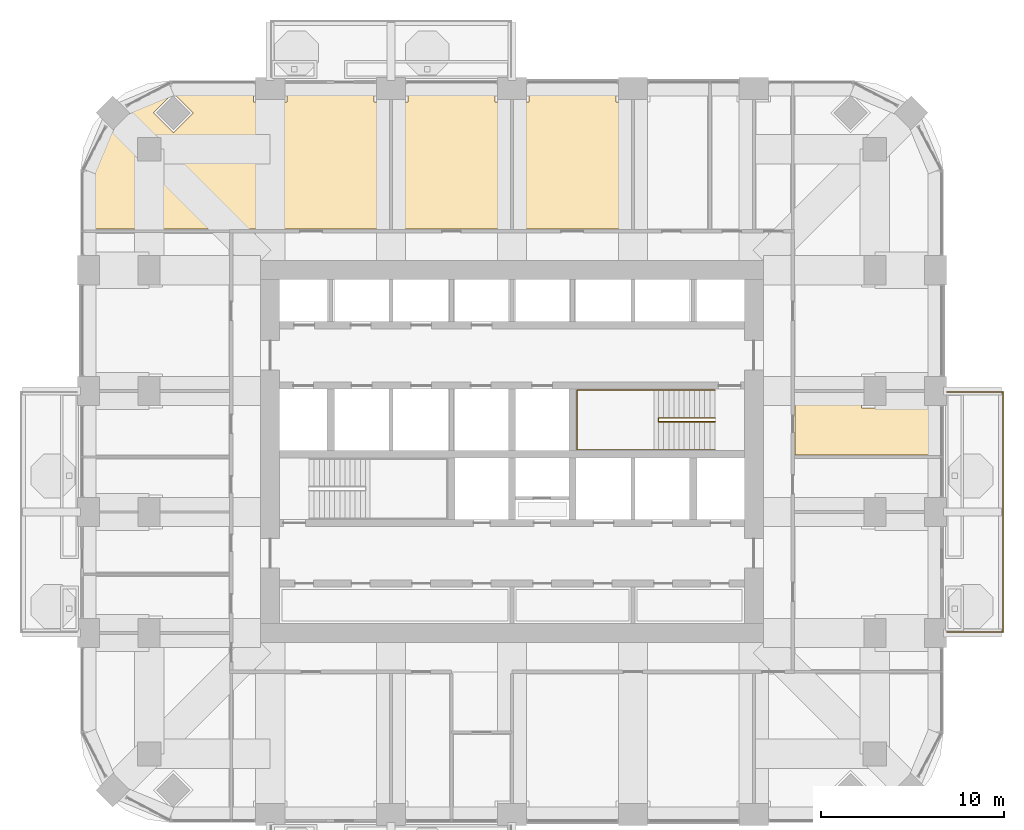
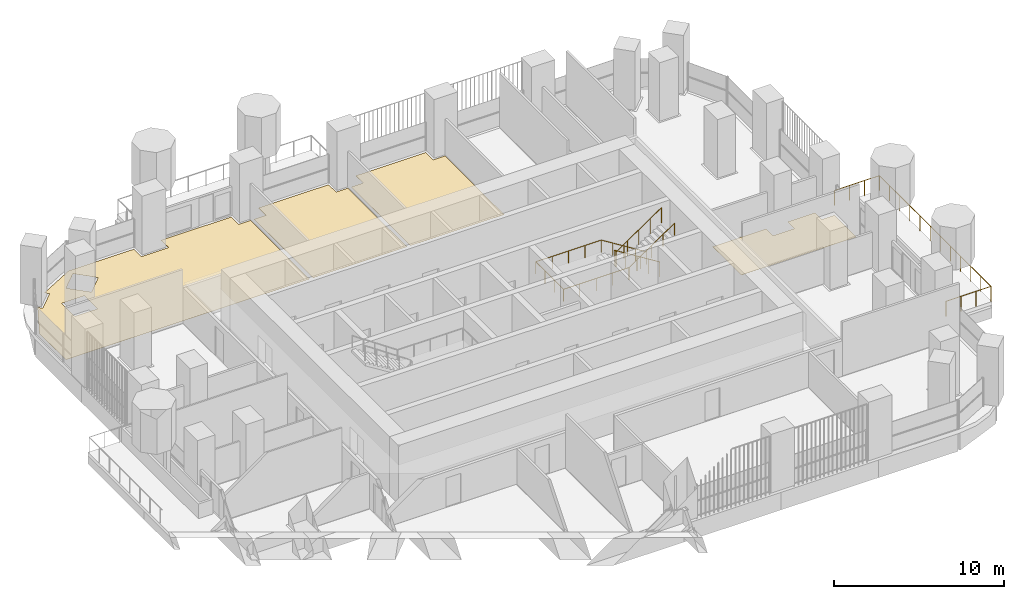
# One storey, part 18 of 20: 4 coverings, 3 railings.
"""IFC4 building model written with IfcOpenShell, lengths in metres."""

from ifc_helpers import new_model, si_unit, direction, frame, origin, place, context, subcontext, project, spatial, polyline, outline, extrude, material, layer, layer_set, type_object, element, save


model = new_model("IFC4")

# Units and contexts
model_context = context("Model", 3, precision=1e-05, world=origin(), true_north=direction((0.0, 1.0)))
body_context = subcontext(model_context, "Body", "Model", "MODEL_VIEW")
ifc_project = project(units=[si_unit("LENGTHUNIT", "METRE"), si_unit("AREAUNIT", "SQUARE_METRE"), si_unit("VOLUMEUNIT", "CUBIC_METRE"), si_unit("PLANEANGLEUNIT", "RADIAN"), si_unit("MASSUNIT", "GRAM", prefix="KILO")], contexts=[model_context])

# Site, building, storey
site_placement = place(None, origin())
site = spatial("IfcSite", under=ifc_project, at=site_placement, CompositionType="ELEMENT")
building_placement = place(site_placement, origin())
building = spatial("IfcBuilding", under=site, at=building_placement, Name="Cobogo Forest Laboratory Tower", CompositionType="ELEMENT")
storey_placement = place(building_placement, frame((0.0, 0.0, 218.699951171875)))
storey = spatial("IfcBuildingStorey", under=building, at=storey_placement, Name="L50", CompositionType="ELEMENT", Elevation=218.699951171875)

# Railing
ifc_material_1 = material(Name="Laminated glass balustrade", Category="glass")
railing_type_1 = type_object("IfcRailingType", Name="BG1 glass balustrade 1100", PredefinedType="GUARDRAIL", material=ifc_material_1)
railing_1_placement = place(storey_placement, frame((50.14990234375, 13.25, 0.0)))
element("IfcRailing", 1, at=railing_1_placement, inside=storey, type_object=railing_type_1, Name="Balcony balustrade BAL-E1 L50", PredefinedType="GUARDRAIL", context=body_context, shape_type="SweptSolid", body=[
    extrude(outline(polyline([(0.022216796875, 0.00927734375), (0.00927734375, 0.022216796875), (-0.00927734375, 0.022216796875), (-0.022216796875, 0.00927734375), (-0.022216796875, -0.00927734375), (-0.00927734375, -0.022216796875), (0.00927734375, -0.022216796875), (0.022216796875, -0.00927734375), (0.022216796875, 0.00927734375)])), frame((0.0, 0.0, 1.077880859375), z_axis=(1.0, 0.0, 0.0), x_axis=(0.0, 1.0, 0.0)), (0.0, 0.0, 1.0), 3.050048828125),
    extrude(outline(polyline([(0.022216796875, 0.00927734375), (0.00927734375, 0.022216796875), (-0.00927734375, 0.022216796875), (-0.022216796875, 0.00927734375), (-0.022216796875, -0.00927734375), (-0.00927734375, -0.022216796875), (0.00927734375, -0.022216796875), (0.022216796875, -0.00927734375), (0.022216796875, 0.00927734375)])), frame((3.050048828125, 0.0, 1.077880859375), z_axis=(0.0, 1.0, 0.0), x_axis=(-1.0, 0.0, 0.0)), (0.0, 0.0, 1.0), 13.10009765625),
    extrude(outline(polyline([(0.022216796875, 0.00927734375), (0.00927734375, 0.022216796875), (-0.00927734375, 0.022216796875), (-0.022216796875, 0.00927734375), (-0.022216796875, -0.00927734375), (-0.00927734375, -0.022216796875), (0.00927734375, -0.022216796875), (0.022216796875, -0.00927734375), (0.022216796875, 0.00927734375)])), frame((3.050048828125, 13.10009765625, 1.077880859375), z_axis=(-1.0, 0.0, 0.0), x_axis=(0.0, -1.0, 0.0)), (0.0, 0.0, 1.0), 3.050048828125),
    extrude(outline(polyline([(0.019287109375, 0.008056640625), (0.008056640625, 0.019287109375), (-0.008056640625, 0.019287109375), (-0.019287109375, 0.008056640625), (-0.019287109375, -0.008056640625), (-0.008056640625, -0.019287109375), (0.008056640625, -0.019287109375), (0.019287109375, -0.008056640625), (0.019287109375, 0.008056640625)])), origin(), (0.0, 0.0, 1.0), 1.077880859375),
    extrude(outline(polyline([(0.019287109375, 0.008056640625), (0.008056640625, 0.019287109375), (-0.008056640625, 0.019287109375), (-0.019287109375, 0.008056640625), (-0.019287109375, -0.008056640625), (-0.008056640625, -0.019287109375), (0.008056640625, -0.019287109375), (0.019287109375, -0.008056640625), (0.019287109375, 0.008056640625)])), frame((1.0166015625, 0.0, 0.0)), (0.0, 0.0, 1.0), 1.077880859375),
    extrude(outline(polyline([(0.019287109375, 0.008056640625), (0.008056640625, 0.019287109375), (-0.008056640625, 0.019287109375), (-0.019287109375, 0.008056640625), (-0.019287109375, -0.008056640625), (-0.008056640625, -0.019287109375), (0.008056640625, -0.019287109375), (0.019287109375, -0.008056640625), (0.019287109375, 0.008056640625)])), frame((2.033447265625, 0.0, 0.0)), (0.0, 0.0, 1.0), 1.077880859375),
    extrude(outline(polyline([(0.019287109375, 0.008056640625), (0.008056640625, 0.019287109375), (-0.008056640625, 0.019287109375), (-0.019287109375, 0.008056640625), (-0.019287109375, -0.008056640625), (-0.008056640625, -0.019287109375), (0.008056640625, -0.019287109375), (0.019287109375, -0.008056640625), (0.019287109375, 0.008056640625)])), frame((3.050048828125, 0.0, 0.0)), (0.0, 0.0, 1.0), 1.077880859375),
    extrude(outline(polyline([(0.019287109375, 0.008056640625), (0.008056640625, 0.019287109375), (-0.008056640625, 0.019287109375), (-0.019287109375, 0.008056640625), (-0.019287109375, -0.008056640625), (-0.008056640625, -0.019287109375), (0.008056640625, -0.019287109375), (0.019287109375, -0.008056640625), (0.019287109375, 0.008056640625)])), frame((3.050048828125, 1.19091796875, 0.0)), (0.0, 0.0, 1.0), 1.077880859375),
    extrude(outline(polyline([(0.019287109375, 0.008056640625), (0.008056640625, 0.019287109375), (-0.008056640625, 0.019287109375), (-0.019287109375, 0.008056640625), (-0.019287109375, -0.008056640625), (-0.008056640625, -0.019287109375), (0.008056640625, -0.019287109375), (0.019287109375, -0.008056640625), (0.019287109375, 0.008056640625)])), frame((3.050048828125, 2.3818359375, 0.0)), (0.0, 0.0, 1.0), 1.077880859375),
    extrude(outline(polyline([(0.019287109375, 0.008056640625), (0.008056640625, 0.019287109375), (-0.008056640625, 0.019287109375), (-0.019287109375, 0.008056640625), (-0.019287109375, -0.008056640625), (-0.008056640625, -0.019287109375), (0.008056640625, -0.019287109375), (0.019287109375, -0.008056640625), (0.019287109375, 0.008056640625)])), frame((3.050048828125, 3.57275390625, 0.0)), (0.0, 0.0, 1.0), 1.077880859375),
    extrude(outline(polyline([(0.019287109375, 0.008056640625), (0.008056640625, 0.019287109375), (-0.008056640625, 0.019287109375), (-0.019287109375, 0.008056640625), (-0.019287109375, -0.008056640625), (-0.008056640625, -0.019287109375), (0.008056640625, -0.019287109375), (0.019287109375, -0.008056640625), (0.019287109375, 0.008056640625)])), frame((3.050048828125, 4.763671875, 0.0)), (0.0, 0.0, 1.0), 1.077880859375),
    extrude(outline(polyline([(0.019287109375, 0.008056640625), (0.008056640625, 0.019287109375), (-0.008056640625, 0.019287109375), (-0.019287109375, 0.008056640625), (-0.019287109375, -0.008056640625), (-0.008056640625, -0.019287109375), (0.008056640625, -0.019287109375), (0.019287109375, -0.008056640625), (0.019287109375, 0.008056640625)])), frame((3.050048828125, 5.95458984375, 0.0)), (0.0, 0.0, 1.0), 1.077880859375),
    extrude(outline(polyline([(0.019287109375, 0.008056640625), (0.008056640625, 0.019287109375), (-0.008056640625, 0.019287109375), (-0.019287109375, 0.008056640625), (-0.019287109375, -0.008056640625), (-0.008056640625, -0.019287109375), (0.008056640625, -0.019287109375), (0.019287109375, -0.008056640625), (0.019287109375, 0.008056640625)])), frame((3.050048828125, 7.1455078125, 0.0)), (0.0, 0.0, 1.0), 1.077880859375),
    extrude(outline(polyline([(0.019287109375, 0.008056640625), (0.008056640625, 0.019287109375), (-0.008056640625, 0.019287109375), (-0.019287109375, 0.008056640625), (-0.019287109375, -0.008056640625), (-0.008056640625, -0.019287109375), (0.008056640625, -0.019287109375), (0.019287109375, -0.008056640625), (0.019287109375, 0.008056640625)])), frame((3.050048828125, 8.33642578125, 0.0)), (0.0, 0.0, 1.0), 1.077880859375),
    extrude(outline(polyline([(0.019287109375, 0.008056640625), (0.008056640625, 0.019287109375), (-0.008056640625, 0.019287109375), (-0.019287109375, 0.008056640625), (-0.019287109375, -0.008056640625), (-0.008056640625, -0.019287109375), (0.008056640625, -0.019287109375), (0.019287109375, -0.008056640625), (0.019287109375, 0.008056640625)])), frame((3.050048828125, 9.52734375, 0.0)), (0.0, 0.0, 1.0), 1.077880859375),
    extrude(outline(polyline([(0.019287109375, 0.008056640625), (0.008056640625, 0.019287109375), (-0.008056640625, 0.019287109375), (-0.019287109375, 0.008056640625), (-0.019287109375, -0.008056640625), (-0.008056640625, -0.019287109375), (0.008056640625, -0.019287109375), (0.019287109375, -0.008056640625), (0.019287109375, 0.008056640625)])), frame((3.050048828125, 10.71826171875, 0.0)), (0.0, 0.0, 1.0), 1.077880859375),
    extrude(outline(polyline([(0.019287109375, 0.008056640625), (0.008056640625, 0.019287109375), (-0.008056640625, 0.019287109375), (-0.019287109375, 0.008056640625), (-0.019287109375, -0.008056640625), (-0.008056640625, -0.019287109375), (0.008056640625, -0.019287109375), (0.019287109375, -0.008056640625), (0.019287109375, 0.008056640625)])), frame((3.050048828125, 11.9091796875, 0.0)), (0.0, 0.0, 1.0), 1.077880859375),
    extrude(outline(polyline([(0.019287109375, 0.008056640625), (0.008056640625, 0.019287109375), (-0.008056640625, 0.019287109375), (-0.019287109375, 0.008056640625), (-0.019287109375, -0.008056640625), (-0.008056640625, -0.019287109375), (0.008056640625, -0.019287109375), (0.019287109375, -0.008056640625), (0.019287109375, 0.008056640625)])), frame((3.050048828125, 13.10009765625, 0.0)), (0.0, 0.0, 1.0), 1.077880859375),
    extrude(outline(polyline([(0.019287109375, 0.008056640625), (0.008056640625, 0.019287109375), (-0.008056640625, 0.019287109375), (-0.019287109375, 0.008056640625), (-0.019287109375, -0.008056640625), (-0.008056640625, -0.019287109375), (0.008056640625, -0.019287109375), (0.019287109375, -0.008056640625), (0.019287109375, 0.008056640625)])), frame((2.033447265625, 13.10009765625, 0.0)), (0.0, 0.0, 1.0), 1.077880859375),
    extrude(outline(polyline([(0.019287109375, 0.008056640625), (0.008056640625, 0.019287109375), (-0.008056640625, 0.019287109375), (-0.019287109375, 0.008056640625), (-0.019287109375, -0.008056640625), (-0.008056640625, -0.019287109375), (0.008056640625, -0.019287109375), (0.019287109375, -0.008056640625), (0.019287109375, 0.008056640625)])), frame((1.0166015625, 13.10009765625, 0.0)), (0.0, 0.0, 1.0), 1.077880859375),
    extrude(outline(polyline([(0.019287109375, 0.008056640625), (0.008056640625, 0.019287109375), (-0.008056640625, 0.019287109375), (-0.019287109375, 0.008056640625), (-0.019287109375, -0.008056640625), (-0.008056640625, -0.019287109375), (0.008056640625, -0.019287109375), (0.019287109375, -0.008056640625), (0.019287109375, 0.008056640625)])), frame((0.0, 13.10009765625, 0.0)), (0.0, 0.0, 1.0), 1.077880859375),
])

# Covering
ifc_material_2 = material(Name="Carpet tile on raised access floor", Category="flooring")
ifc_layer_1 = layer(ifc_material_2, 0.008056640625)
ifc_layer_set_1 = layer_set([ifc_layer_1], Name="CT1 carpet tile floor 8")
covering_type_1 = type_object("IfcCoveringType", Name="CT1 carpet tile floor 8", PredefinedType="FLOORING", material=ifc_layer_set_1)
covering_1_placement = place(storey_placement, origin())
element("IfcCovering", 2, at=covering_1_placement, inside=storey, type_object=covering_type_1, Name="Carpet floor L50-11", PredefinedType="FLOORING", context=body_context, shape_type="SweptSolid", body=[
    extrude(outline(polyline([(19.919921875, 35.2451171875), (19.919921875, 42.179931640625), (20.719970703125, 42.179931640625), (20.719970703125, 43.050048828125), (25.47998046875, 43.050048828125), (25.47998046875, 42.179931640625), (26.280029296875, 42.179931640625), (26.280029296875, 35.2451171875), (19.919921875, 35.2451171875)])), origin(), (0.0, 0.0, 1.0), 0.008056640625),
])

# Railings
ifc_material_3 = material(Name="Steel balustrade", Category="steel")
railing_type_2 = type_object("IfcRailingType", Name="GR stair guard 1100", PredefinedType="GUARDRAIL", material=ifc_material_3)
railing_2_placement = place(storey_placement, frame((37.47509765625, 24.929931640625, 0.175048828125)))
element("IfcRailing", 3, at=railing_2_placement, inside=storey, type_object=railing_type_2, Name="Stair guard ST2 L50", PredefinedType="GUARDRAIL", context=body_context, shape_type="SweptSolid", body=[
    extrude(outline(polyline([(0.022216796875, 0.00927734375), (0.00927734375, 0.022216796875), (-0.00927734375, 0.022216796875), (-0.022216796875, 0.00927734375), (-0.022216796875, -0.00927734375), (-0.00927734375, -0.022216796875), (0.00927734375, -0.022216796875), (0.022216796875, -0.00927734375), (0.022216796875, 0.00927734375)])), frame((0.0, 0.0, 1.077880859375), z_axis=(-0.847998304005, 0.0, 0.529998940003), x_axis=(0.0, -1.0, 0.0)), (0.0, 0.0, 1.0), 3.632080078125),
    extrude(outline(polyline([(0.022216796875, 0.00927734375), (0.00927734375, 0.022216796875), (-0.00927734375, 0.022216796875), (-0.022216796875, 0.00927734375), (-0.022216796875, -0.00927734375), (-0.00927734375, -0.022216796875), (0.00927734375, -0.022216796875), (0.022216796875, -0.00927734375), (0.022216796875, 0.00927734375)])), frame((-3.080078125, 0.0, 3.0029296875), z_axis=(0.0, -1.0, 0.0), x_axis=(1.0, 0.0, 0.0)), (0.0, 0.0, 1.0), 0.2099609375),
    extrude(outline(polyline([(0.022216796875, 0.00927734375), (0.00927734375, 0.022216796875), (-0.00927734375, 0.022216796875), (-0.022216796875, 0.00927734375), (-0.022216796875, -0.00927734375), (-0.00927734375, -0.022216796875), (0.00927734375, -0.022216796875), (0.022216796875, -0.00927734375), (0.022216796875, 0.00927734375)])), frame((-3.080078125, -0.2099609375, 3.0029296875), z_axis=(0.826252282691, 0.0, 0.563300244406), x_axis=(0.0, 1.0, 0.0)), (0.0, 0.0, 1.0), 3.727783203125),
    extrude(outline(polyline([(0.019287109375, 0.008056640625), (0.008056640625, 0.019287109375), (-0.008056640625, 0.019287109375), (-0.019287109375, 0.008056640625), (-0.019287109375, -0.008056640625), (-0.008056640625, -0.019287109375), (0.008056640625, -0.019287109375), (0.019287109375, -0.008056640625), (0.019287109375, 0.008056640625)])), origin(), (0.0, 0.0, 1.0), 1.077880859375),
    extrude(outline(polyline([(0.019287109375, 0.008056640625), (0.008056640625, 0.019287109375), (-0.008056640625, 0.019287109375), (-0.019287109375, 0.008056640625), (-0.019287109375, -0.008056640625), (-0.008056640625, -0.019287109375), (0.008056640625, -0.019287109375), (0.019287109375, -0.008056640625), (0.019287109375, 0.008056640625)])), frame((-0.77001953125, 0.0, 0.481201171875)), (0.0, 0.0, 1.0), 1.077880859375),
    extrude(outline(polyline([(0.019287109375, 0.008056640625), (0.008056640625, 0.019287109375), (-0.008056640625, 0.019287109375), (-0.019287109375, 0.008056640625), (-0.019287109375, -0.008056640625), (-0.008056640625, -0.019287109375), (0.008056640625, -0.019287109375), (0.019287109375, -0.008056640625), (0.019287109375, 0.008056640625)])), frame((-1.5400390625, 0.0, 0.96240234375)), (0.0, 0.0, 1.0), 1.077880859375),
    extrude(outline(polyline([(0.019287109375, 0.008056640625), (0.008056640625, 0.019287109375), (-0.008056640625, 0.019287109375), (-0.019287109375, 0.008056640625), (-0.019287109375, -0.008056640625), (-0.008056640625, -0.019287109375), (0.008056640625, -0.019287109375), (0.019287109375, -0.008056640625), (0.019287109375, 0.008056640625)])), frame((-2.31005859375, 0.0, 1.44384765625)), (0.0, 0.0, 1.0), 1.077880859375),
    extrude(outline(polyline([(0.019287109375, 0.008056640625), (0.008056640625, 0.019287109375), (-0.008056640625, 0.019287109375), (-0.019287109375, 0.008056640625), (-0.019287109375, -0.008056640625), (-0.008056640625, -0.019287109375), (0.008056640625, -0.019287109375), (0.019287109375, -0.008056640625), (0.019287109375, 0.008056640625)])), frame((-3.080078125, 0.0, 1.925048828125)), (0.0, 0.0, 1.0), 1.077880859375),
    extrude(outline(polyline([(0.019287109375, 0.008056640625), (0.008056640625, 0.019287109375), (-0.008056640625, 0.019287109375), (-0.019287109375, 0.008056640625), (-0.019287109375, -0.008056640625), (-0.008056640625, -0.019287109375), (0.008056640625, -0.019287109375), (0.019287109375, -0.008056640625), (0.019287109375, 0.008056640625)])), frame((-3.080078125, -0.2099609375, 1.925048828125)), (0.0, 0.0, 1.0), 1.077880859375),
    extrude(outline(polyline([(0.019287109375, 0.008056640625), (0.008056640625, 0.019287109375), (-0.008056640625, 0.019287109375), (-0.019287109375, 0.008056640625), (-0.019287109375, -0.008056640625), (-0.008056640625, -0.019287109375), (0.008056640625, -0.019287109375), (0.019287109375, -0.008056640625), (0.019287109375, 0.008056640625)])), frame((-2.31005859375, -0.2099609375, 2.449951171875)), (0.0, 0.0, 1.0), 1.077880859375),
    extrude(outline(polyline([(0.019287109375, 0.008056640625), (0.008056640625, 0.019287109375), (-0.008056640625, 0.019287109375), (-0.019287109375, 0.008056640625), (-0.019287109375, -0.008056640625), (-0.008056640625, -0.019287109375), (0.008056640625, -0.019287109375), (0.019287109375, -0.008056640625), (0.019287109375, 0.008056640625)])), frame((-1.5400390625, -0.2099609375, 2.97509765625)), (0.0, 0.0, 1.0), 1.077880859375),
    extrude(outline(polyline([(0.019287109375, 0.008056640625), (0.008056640625, 0.019287109375), (-0.008056640625, 0.019287109375), (-0.019287109375, 0.008056640625), (-0.019287109375, -0.008056640625), (-0.008056640625, -0.019287109375), (0.008056640625, -0.019287109375), (0.019287109375, -0.008056640625), (0.019287109375, 0.008056640625)])), frame((-0.77001953125, -0.2099609375, 3.5)), (0.0, 0.0, 1.0), 1.077880859375),
    extrude(outline(polyline([(0.019287109375, 0.008056640625), (0.008056640625, 0.019287109375), (-0.008056640625, 0.019287109375), (-0.019287109375, 0.008056640625), (-0.019287109375, -0.008056640625), (-0.008056640625, -0.019287109375), (0.008056640625, -0.019287109375), (0.019287109375, -0.008056640625), (0.019287109375, 0.008056640625)])), frame((0.0, -0.2099609375, 4.02490234375)), (0.0, 0.0, 1.0), 1.077880859375),
])
ifc_material_4 = material(Name="Stainless steel handrail", Category="steel")
railing_type_3 = type_object("IfcRailingType", Name="HR handrail 900", PredefinedType="HANDRAIL", material=ifc_material_4)
railing_3_placement = place(storey_placement, frame((37.47509765625, 26.449951171875, 0.175048828125)))
element("IfcRailing", 4, at=railing_3_placement, inside=storey, type_object=railing_type_3, Name="Stair handrail ST2 L50", PredefinedType="HANDRAIL", context=body_context, shape_type="SweptSolid", body=[
    extrude(outline(polyline([(0.022216796875, 0.00927734375), (0.00927734375, 0.022216796875), (-0.00927734375, 0.022216796875), (-0.022216796875, 0.00927734375), (-0.022216796875, -0.00927734375), (-0.00927734375, -0.022216796875), (0.00927734375, -0.022216796875), (0.022216796875, -0.00927734375), (0.022216796875, 0.00927734375)])), frame((0.0, 0.0, 0.877685546875), z_axis=(-0.847998304005, 0.0, 0.529998940003), x_axis=(0.0, -1.0, 0.0)), (0.0, 0.0, 1.0), 3.632080078125),
    extrude(outline(polyline([(0.022216796875, 0.00927734375), (0.00927734375, 0.022216796875), (-0.00927734375, 0.022216796875), (-0.022216796875, 0.00927734375), (-0.022216796875, -0.00927734375), (-0.00927734375, -0.022216796875), (0.00927734375, -0.022216796875), (0.022216796875, -0.00927734375), (0.022216796875, 0.00927734375)])), frame((-3.080078125, 0.0, 2.802734375), z_axis=(-1.0, 0.0, 0.0), x_axis=(0.0, -1.0, 0.0)), (0.0, 0.0, 1.0), 4.445068359375),
    extrude(outline(polyline([(0.022216796875, 0.00927734375), (0.00927734375, 0.022216796875), (-0.00927734375, 0.022216796875), (-0.022216796875, 0.00927734375), (-0.022216796875, -0.00927734375), (-0.00927734375, -0.022216796875), (0.00927734375, -0.022216796875), (0.022216796875, -0.00927734375), (0.022216796875, 0.00927734375)])), frame((-7.525146484375, 0.0, 2.802734375), z_axis=(0.0, -1.0, 0.0), x_axis=(1.0, 0.0, 0.0)), (0.0, 0.0, 1.0), 3.25),
    extrude(outline(polyline([(0.022216796875, 0.00927734375), (0.00927734375, 0.022216796875), (-0.00927734375, 0.022216796875), (-0.022216796875, 0.00927734375), (-0.022216796875, -0.00927734375), (-0.00927734375, -0.022216796875), (0.00927734375, -0.022216796875), (0.022216796875, -0.00927734375), (0.022216796875, 0.00927734375)])), frame((-7.525146484375, -3.25, 2.802734375), z_axis=(1.0, 0.0, 0.0), x_axis=(0.0, 1.0, 0.0)), (0.0, 0.0, 1.0), 4.445068359375),
    extrude(outline(polyline([(0.022216796875, 0.00927734375), (0.00927734375, 0.022216796875), (-0.00927734375, 0.022216796875), (-0.022216796875, 0.00927734375), (-0.022216796875, -0.00927734375), (-0.00927734375, -0.022216796875), (0.00927734375, -0.022216796875), (0.022216796875, -0.00927734375), (0.022216796875, 0.00927734375)])), frame((-3.080078125, -3.25, 2.802734375), z_axis=(0.826252282691, 0.0, 0.563300244406), x_axis=(0.0, 1.0, 0.0)), (0.0, 0.0, 1.0), 3.727783203125),
    extrude(outline(polyline([(0.019287109375, 0.008056640625), (0.008056640625, 0.019287109375), (-0.008056640625, 0.019287109375), (-0.019287109375, 0.008056640625), (-0.019287109375, -0.008056640625), (-0.008056640625, -0.019287109375), (0.008056640625, -0.019287109375), (0.019287109375, -0.008056640625), (0.019287109375, 0.008056640625)])), origin(), (0.0, 0.0, 1.0), 0.877685546875),
    extrude(outline(polyline([(0.019287109375, 0.008056640625), (0.008056640625, 0.019287109375), (-0.008056640625, 0.019287109375), (-0.019287109375, 0.008056640625), (-0.019287109375, -0.008056640625), (-0.008056640625, -0.019287109375), (0.008056640625, -0.019287109375), (0.019287109375, -0.008056640625), (0.019287109375, 0.008056640625)])), frame((-0.77001953125, 0.0, 0.481201171875)), (0.0, 0.0, 1.0), 0.877685546875),
    extrude(outline(polyline([(0.019287109375, 0.008056640625), (0.008056640625, 0.019287109375), (-0.008056640625, 0.019287109375), (-0.019287109375, 0.008056640625), (-0.019287109375, -0.008056640625), (-0.008056640625, -0.019287109375), (0.008056640625, -0.019287109375), (0.019287109375, -0.008056640625), (0.019287109375, 0.008056640625)])), frame((-1.5400390625, 0.0, 0.96240234375)), (0.0, 0.0, 1.0), 0.877685546875),
    extrude(outline(polyline([(0.019287109375, 0.008056640625), (0.008056640625, 0.019287109375), (-0.008056640625, 0.019287109375), (-0.019287109375, 0.008056640625), (-0.019287109375, -0.008056640625), (-0.008056640625, -0.019287109375), (0.008056640625, -0.019287109375), (0.019287109375, -0.008056640625), (0.019287109375, 0.008056640625)])), frame((-2.31005859375, 0.0, 1.44384765625)), (0.0, 0.0, 1.0), 0.877685546875),
    extrude(outline(polyline([(0.019287109375, 0.008056640625), (0.008056640625, 0.019287109375), (-0.008056640625, 0.019287109375), (-0.019287109375, 0.008056640625), (-0.019287109375, -0.008056640625), (-0.008056640625, -0.019287109375), (0.008056640625, -0.019287109375), (0.019287109375, -0.008056640625), (0.019287109375, 0.008056640625)])), frame((-3.080078125, 0.0, 1.925048828125)), (0.0, 0.0, 1.0), 0.877685546875),
    extrude(outline(polyline([(0.019287109375, 0.008056640625), (0.008056640625, 0.019287109375), (-0.008056640625, 0.019287109375), (-0.019287109375, 0.008056640625), (-0.019287109375, -0.008056640625), (-0.008056640625, -0.019287109375), (0.008056640625, -0.019287109375), (0.019287109375, -0.008056640625), (0.019287109375, 0.008056640625)])), frame((-4.19140625, 0.0, 1.925048828125)), (0.0, 0.0, 1.0), 0.877685546875),
    extrude(outline(polyline([(0.019287109375, 0.008056640625), (0.008056640625, 0.019287109375), (-0.008056640625, 0.019287109375), (-0.019287109375, 0.008056640625), (-0.019287109375, -0.008056640625), (-0.008056640625, -0.019287109375), (0.008056640625, -0.019287109375), (0.019287109375, -0.008056640625), (0.019287109375, 0.008056640625)])), frame((-5.302734375, 0.0, 1.925048828125)), (0.0, 0.0, 1.0), 0.877685546875),
    extrude(outline(polyline([(0.019287109375, 0.008056640625), (0.008056640625, 0.019287109375), (-0.008056640625, 0.019287109375), (-0.019287109375, 0.008056640625), (-0.019287109375, -0.008056640625), (-0.008056640625, -0.019287109375), (0.008056640625, -0.019287109375), (0.019287109375, -0.008056640625), (0.019287109375, 0.008056640625)])), frame((-6.413818359375, 0.0, 1.925048828125)), (0.0, 0.0, 1.0), 0.877685546875),
    extrude(outline(polyline([(0.019287109375, 0.008056640625), (0.008056640625, 0.019287109375), (-0.008056640625, 0.019287109375), (-0.019287109375, 0.008056640625), (-0.019287109375, -0.008056640625), (-0.008056640625, -0.019287109375), (0.008056640625, -0.019287109375), (0.019287109375, -0.008056640625), (0.019287109375, 0.008056640625)])), frame((-7.525146484375, 0.0, 1.925048828125)), (0.0, 0.0, 1.0), 0.877685546875),
    extrude(outline(polyline([(0.019287109375, 0.008056640625), (0.008056640625, 0.019287109375), (-0.008056640625, 0.019287109375), (-0.019287109375, 0.008056640625), (-0.019287109375, -0.008056640625), (-0.008056640625, -0.019287109375), (0.008056640625, -0.019287109375), (0.019287109375, -0.008056640625), (0.019287109375, 0.008056640625)])), frame((-7.525146484375, -1.083251953125, 1.925048828125)), (0.0, 0.0, 1.0), 0.877685546875),
    extrude(outline(polyline([(0.019287109375, 0.008056640625), (0.008056640625, 0.019287109375), (-0.008056640625, 0.019287109375), (-0.019287109375, 0.008056640625), (-0.019287109375, -0.008056640625), (-0.008056640625, -0.019287109375), (0.008056640625, -0.019287109375), (0.019287109375, -0.008056640625), (0.019287109375, 0.008056640625)])), frame((-7.525146484375, -2.166748046875, 1.925048828125)), (0.0, 0.0, 1.0), 0.877685546875),
    extrude(outline(polyline([(0.019287109375, 0.008056640625), (0.008056640625, 0.019287109375), (-0.008056640625, 0.019287109375), (-0.019287109375, 0.008056640625), (-0.019287109375, -0.008056640625), (-0.008056640625, -0.019287109375), (0.008056640625, -0.019287109375), (0.019287109375, -0.008056640625), (0.019287109375, 0.008056640625)])), frame((-7.525146484375, -3.25, 1.925048828125)), (0.0, 0.0, 1.0), 0.877685546875),
    extrude(outline(polyline([(0.019287109375, 0.008056640625), (0.008056640625, 0.019287109375), (-0.008056640625, 0.019287109375), (-0.019287109375, 0.008056640625), (-0.019287109375, -0.008056640625), (-0.008056640625, -0.019287109375), (0.008056640625, -0.019287109375), (0.019287109375, -0.008056640625), (0.019287109375, 0.008056640625)])), frame((-6.413818359375, -3.25, 1.925048828125)), (0.0, 0.0, 1.0), 0.877685546875),
    extrude(outline(polyline([(0.019287109375, 0.008056640625), (0.008056640625, 0.019287109375), (-0.008056640625, 0.019287109375), (-0.019287109375, 0.008056640625), (-0.019287109375, -0.008056640625), (-0.008056640625, -0.019287109375), (0.008056640625, -0.019287109375), (0.019287109375, -0.008056640625), (0.019287109375, 0.008056640625)])), frame((-5.302734375, -3.25, 1.925048828125)), (0.0, 0.0, 1.0), 0.877685546875),
    extrude(outline(polyline([(0.019287109375, 0.008056640625), (0.008056640625, 0.019287109375), (-0.008056640625, 0.019287109375), (-0.019287109375, 0.008056640625), (-0.019287109375, -0.008056640625), (-0.008056640625, -0.019287109375), (0.008056640625, -0.019287109375), (0.019287109375, -0.008056640625), (0.019287109375, 0.008056640625)])), frame((-4.19140625, -3.25, 1.925048828125)), (0.0, 0.0, 1.0), 0.877685546875),
    extrude(outline(polyline([(0.019287109375, 0.008056640625), (0.008056640625, 0.019287109375), (-0.008056640625, 0.019287109375), (-0.019287109375, 0.008056640625), (-0.019287109375, -0.008056640625), (-0.008056640625, -0.019287109375), (0.008056640625, -0.019287109375), (0.019287109375, -0.008056640625), (0.019287109375, 0.008056640625)])), frame((-3.080078125, -3.25, 1.925048828125)), (0.0, 0.0, 1.0), 0.877685546875),
    extrude(outline(polyline([(0.019287109375, 0.008056640625), (0.008056640625, 0.019287109375), (-0.008056640625, 0.019287109375), (-0.019287109375, 0.008056640625), (-0.019287109375, -0.008056640625), (-0.008056640625, -0.019287109375), (0.008056640625, -0.019287109375), (0.019287109375, -0.008056640625), (0.019287109375, 0.008056640625)])), frame((-2.31005859375, -3.25, 2.449951171875)), (0.0, 0.0, 1.0), 0.877685546875),
    extrude(outline(polyline([(0.019287109375, 0.008056640625), (0.008056640625, 0.019287109375), (-0.008056640625, 0.019287109375), (-0.019287109375, 0.008056640625), (-0.019287109375, -0.008056640625), (-0.008056640625, -0.019287109375), (0.008056640625, -0.019287109375), (0.019287109375, -0.008056640625), (0.019287109375, 0.008056640625)])), frame((-1.5400390625, -3.25, 2.97509765625)), (0.0, 0.0, 1.0), 0.877685546875),
    extrude(outline(polyline([(0.019287109375, 0.008056640625), (0.008056640625, 0.019287109375), (-0.008056640625, 0.019287109375), (-0.019287109375, 0.008056640625), (-0.019287109375, -0.008056640625), (-0.008056640625, -0.019287109375), (0.008056640625, -0.019287109375), (0.019287109375, -0.008056640625), (0.019287109375, 0.008056640625)])), frame((-0.77001953125, -3.25, 3.5)), (0.0, 0.0, 1.0), 0.877685546875),
    extrude(outline(polyline([(0.019287109375, 0.008056640625), (0.008056640625, 0.019287109375), (-0.008056640625, 0.019287109375), (-0.019287109375, 0.008056640625), (-0.019287109375, -0.008056640625), (-0.008056640625, -0.019287109375), (0.008056640625, -0.019287109375), (0.019287109375, -0.008056640625), (0.019287109375, 0.008056640625)])), frame((0.0, -3.25, 4.02490234375)), (0.0, 0.0, 1.0), 0.877685546875),
])

# Coverings
ifc_material_5 = material(Name="Static-dissipative vinyl flooring", Category="flooring")
ifc_layer_2 = layer(ifc_material_5, 0.0029296875)
ifc_layer_set_2 = layer_set([ifc_layer_2], Name="SD1 static-dissipative vinyl floor 3")
covering_type_2 = type_object("IfcCoveringType", Name="SD1 static-dissipative vinyl floor 3", PredefinedType="FLOORING", material=ifc_layer_set_2)
covering_2_placement = place(storey_placement, origin())
element("IfcCovering", 5, at=covering_2_placement, inside=storey, type_object=covering_type_2, Name="Static-dissipative floor L50-08", PredefinedType="FLOORING", context=body_context, shape_type="SweptSolid", body=[
    extrude(outline(polyline([(41.844970703125, 26.280029296875), (45.47998046875, 26.280029296875), (45.47998046875, 25.47998046875), (46.919921875, 25.47998046875), (46.919921875, 26.280029296875), (48.780029296875, 26.280029296875), (48.780029296875, 25.47998046875), (49.64990234375, 25.47998046875), (49.64990234375, 22.919921875), (41.844970703125, 22.919921875), (41.844970703125, 26.280029296875)])), origin(), (0.0, 0.0, 1.0), 0.0029296875),
])
covering_3_placement = place(storey_placement, origin())
element("IfcCovering", 6, at=covering_3_placement, inside=storey, type_object=covering_type_2, Name="Static-dissipative floor L50-10", PredefinedType="FLOORING", context=body_context, shape_type="SweptSolid", body=[
    extrude(outline(polyline([(3.14990234375, 35.2451171875), (3.14990234375, 38.350830078125), (4.3916015625, 40.719482421875), (4.617919921875, 40.492919921875), (5.70703125, 41.58203125), (5.480712890625, 41.808349609375), (7.84912109375, 43.050048828125), (12.280029296875, 43.050048828125), (12.280029296875, 42.179931640625), (14.1201171875, 42.179931640625), (14.1201171875, 43.050048828125), (18.8798828125, 43.050048828125), (18.8798828125, 42.179931640625), (19.679931640625, 42.179931640625), (19.679931640625, 35.2451171875), (3.14990234375, 35.2451171875)]), holes=[polyline([(7.91796875, 40.492919921875), (9.007080078125, 41.58203125), (7.91796875, 42.6708984375), (6.8291015625, 41.58203125), (7.91796875, 40.492919921875)]), polyline([(5.830078125, 38.830078125), (7.3701171875, 38.830078125), (7.3701171875, 40.3701171875), (5.830078125, 40.3701171875), (5.830078125, 38.830078125)])]), origin(), (0.0, 0.0, 1.0), 0.0029296875),
])
covering_4_placement = place(storey_placement, origin())
element("IfcCovering", 7, at=covering_4_placement, inside=storey, type_object=covering_type_2, Name="Static-dissipative floor L50-12", PredefinedType="FLOORING", context=body_context, shape_type="SweptSolid", body=[
    extrude(outline(polyline([(26.52001953125, 35.2451171875), (26.52001953125, 42.179931640625), (27.320068359375, 42.179931640625), (27.320068359375, 43.050048828125), (32.080078125, 43.050048828125), (32.080078125, 42.179931640625), (32.8798828125, 42.179931640625), (32.8798828125, 35.2451171875), (26.52001953125, 35.2451171875)])), origin(), (0.0, 0.0, 1.0), 0.0029296875),
])

save(model, "model.ifc")
